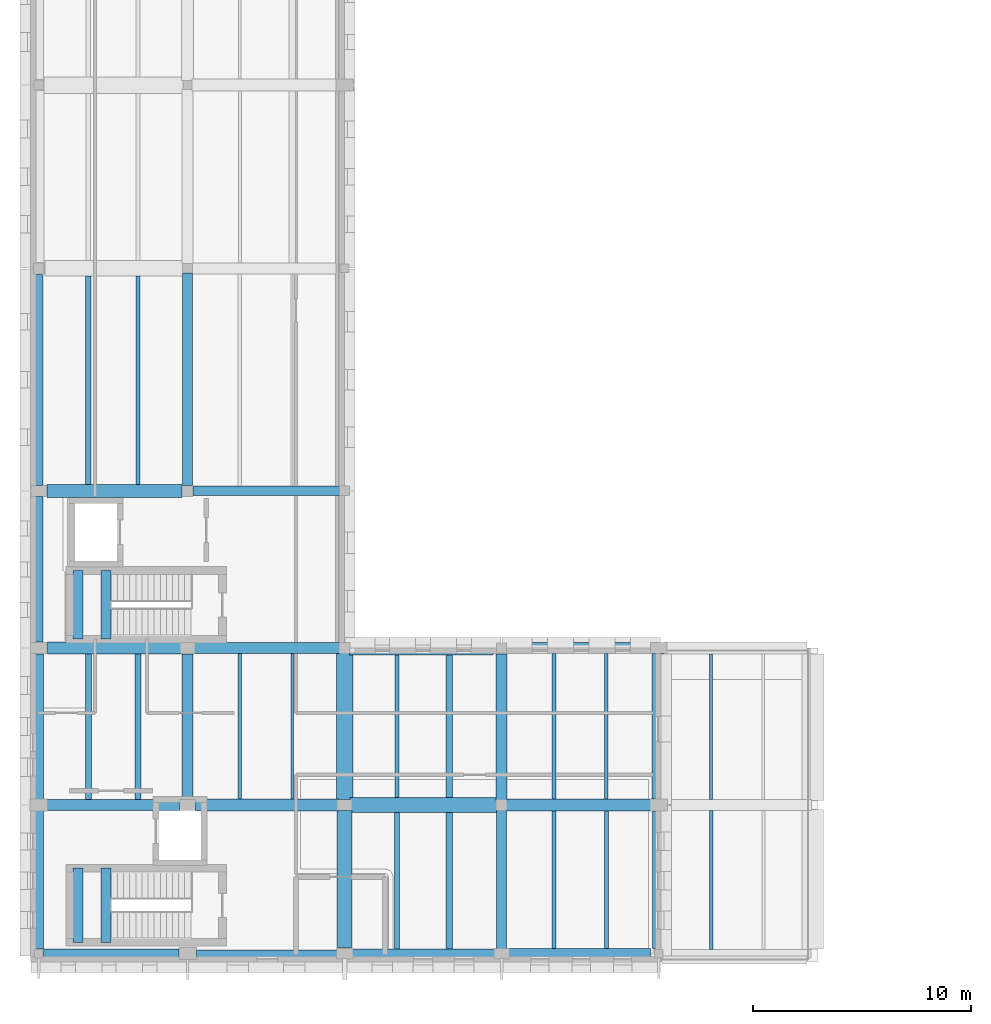
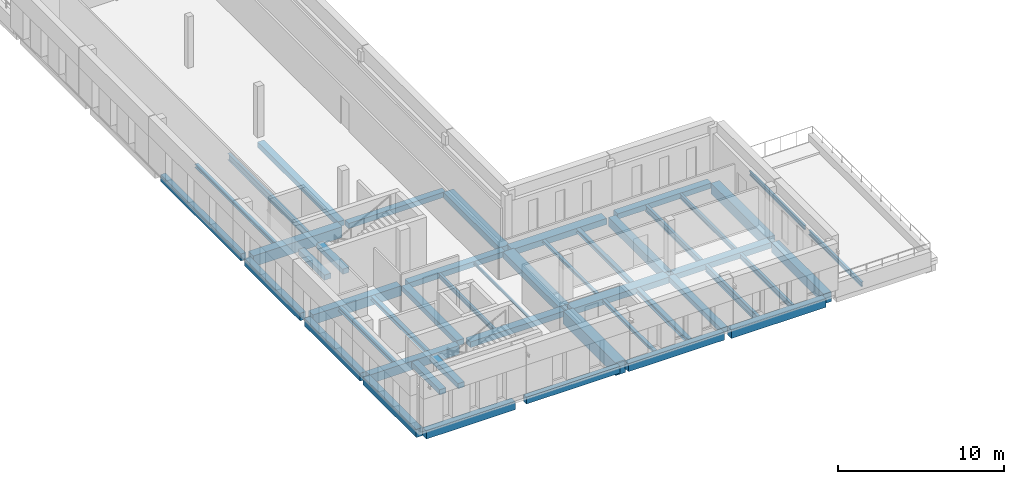
# One storey, part 4 of 15: 47 beams.
"""IFC4 building model written with IfcOpenShell, lengths in metres."""

from ifc_helpers import new_model, si_unit, direction, frame, origin, origin_2d, place, context, subcontext, project, spatial, rectangle, i_section, extrude, material, material_profile, profile_set, type_object, element, save


model = new_model("IFC4")

# Units and contexts
model_context = context("Model", 3, precision=1e-05, world=origin(), true_north=direction((0.0, 1.0)))
body_context = subcontext(model_context, "Body", "Model", "MODEL_VIEW")
ifc_project = project(units=[si_unit("LENGTHUNIT", "METRE"), si_unit("AREAUNIT", "SQUARE_METRE"), si_unit("VOLUMEUNIT", "CUBIC_METRE"), si_unit("PLANEANGLEUNIT", "RADIAN"), si_unit("MASSUNIT", "GRAM", prefix="KILO")], contexts=[model_context])

# Site, building, storey
site_placement = place(None, origin())
site = spatial("IfcSite", under=ifc_project, at=site_placement, CompositionType="ELEMENT")
building_placement = place(site_placement, origin())
building = spatial("IfcBuilding", under=site, at=building_placement, Name="Vardoun Plaza Health Centre", CompositionType="ELEMENT")
storey_placement = place(building_placement, frame((0.0, 0.0, 17.10009765625)))
storey = spatial("IfcBuildingStorey", under=building, at=storey_placement, Name="L04", CompositionType="ELEMENT", Elevation=17.10009765625)

# Beams
ifc_material_1 = material(Name="Concrete C35/45", Category="concrete")
ifc_material_profile_1 = material_profile(ifc_material_1, rectangle(XDim=0.35009765625, YDim=0.5, at=origin_2d()), Name="RC-BM 350x500")
ifc_profile_set_1 = profile_set([ifc_material_profile_1], Name="Concrete C35/45")
beam_type_1 = type_object("IfcBeamType", Name="B-08", PredefinedType="SPANDREL", material=ifc_profile_set_1)
beam_1_placement = place(storey_placement, frame((12.10009765625, 4.8798828125, -0.530029296875), z_axis=(1.0, 0.0, 0.0), x_axis=(0.0, 1.0, 0.0)))
element("IfcBeam", 1, at=beam_1_placement, inside=storey, type_object=beam_type_1, Name="V2 L04 Beam B-V2-L04-X09", PredefinedType="SPANDREL", context=body_context, shape_type="SweptSolid", body=[
    extrude(rectangle(XDim=0.35009765625, YDim=0.5, at=origin_2d()), origin(), (0.0, 0.0, 1.0), 6.52490234375),
])
beam_2_placement = place(storey_placement, frame((4.8798828125, 26.35009765625, -0.530029296875), z_axis=(0.0, 1.0, 0.0), x_axis=(-1.0, 0.0, 0.0)))
element("IfcBeam", 2, at=beam_2_placement, inside=storey, type_object=beam_type_1, Name="V2 L04 Beam B-V2-L04-Y29", PredefinedType="SPANDREL", context=body_context, shape_type="SweptSolid", body=[
    extrude(rectangle(XDim=0.35009765625, YDim=0.5, at=origin_2d()), origin(), (0.0, 0.0, 1.0), 9.675048828125),
])
ifc_material_2 = material(Name="Concrete C35/45", Category="concrete")
ifc_material_profile_2 = material_profile(ifc_material_2, rectangle(XDim=0.39990234375, YDim=0.550048828125, at=origin_2d()), Name="RC-BM 400x550")
ifc_profile_set_2 = profile_set([ifc_material_profile_2], Name="Concrete C35/45")
beam_type_2 = type_object("IfcBeamType", Name="B-09", PredefinedType="SPANDREL", material=ifc_profile_set_2)
beam_3_placement = place(storey_placement, frame((4.8798828125, 19.175048828125, -0.55517578125), z_axis=(0.0, 1.0, 0.0), x_axis=(-1.0, 0.0, 0.0)))
element("IfcBeam", 3, at=beam_3_placement, inside=storey, type_object=beam_type_2, Name="V2 L04 Beam B-V2-L04-Y28", PredefinedType="SPANDREL", context=body_context, shape_type="SweptSolid", body=[
    extrude(rectangle(XDim=0.39990234375, YDim=0.550048828125, at=origin_2d()), origin(), (0.0, 0.0, 1.0), 6.675048828125),
])
ifc_material_3 = material(Name="Concrete C35/45", Category="concrete")
ifc_material_profile_3 = material_profile(ifc_material_3, rectangle(XDim=0.419921875, YDim=0.580078125, at=origin_2d()), Name="RC-BM 420x580")
ifc_profile_set_3 = profile_set([ifc_material_profile_3], Name="Concrete C35/45")
beam_type_3 = type_object("IfcBeamType", Name="B-10", PredefinedType="SPANDREL", material=ifc_profile_set_3)
beam_4_placement = place(storey_placement, frame((19.175048828125, 4.8798828125, -0.570068359375), z_axis=(1.0, 0.0, 0.0), x_axis=(0.0, 1.0, 0.0)))
element("IfcBeam", 4, at=beam_4_placement, inside=storey, type_object=beam_type_3, Name="V2 L04 Beam B-V2-L04-X17", PredefinedType="SPANDREL", context=body_context, shape_type="SweptSolid", body=[
    extrude(rectangle(XDim=0.419921875, YDim=0.580078125, at=origin_2d()), origin(), (0.0, 0.0, 1.0), 6.699951171875),
])
beam_5_placement = place(storey_placement, frame((4.8798828125, 11.89990234375, -0.570068359375), z_axis=(0.0, 1.0, 0.0), x_axis=(-1.0, 0.0, 0.0)))
element("IfcBeam", 5, at=beam_5_placement, inside=storey, type_object=beam_type_3, Name="V2 L04 Beam B-V2-L04-Y27", PredefinedType="SPANDREL", context=body_context, shape_type="SweptSolid", body=[
    extrude(rectangle(XDim=0.419921875, YDim=0.580078125, at=origin_2d()), origin(), (0.0, 0.0, 1.0), 6.72509765625),
])
ifc_material_4 = material(Name="Concrete C35/45", Category="concrete")
ifc_material_profile_4 = material_profile(ifc_material_4, rectangle(XDim=0.449951171875, YDim=0.3798828125, at=origin_2d()), Name="RC-BM 450x380")
ifc_profile_set_4 = profile_set([ifc_material_profile_4], Name="Concrete C35/45")
beam_type_4 = type_object("IfcBeamType", Name="B-01", PredefinedType="BEAM", material=ifc_profile_set_4)
beam_6_placement = place(storey_placement, frame((11.949951171875, 26.10009765625, -0.47021484375), z_axis=(1.0, 0.0, 0.0), x_axis=(0.0, 1.0, 0.0)))
element("IfcBeam", 6, at=beam_6_placement, inside=storey, type_object=beam_type_4, Name="V2 L04 Beam B-V2-L04-X12", PredefinedType="BEAM", context=body_context, shape_type="SweptSolid", body=[
    extrude(rectangle(XDim=0.449951171875, YDim=0.3798828125, at=origin_2d()), origin(), (0.0, 0.0, 1.0), 6.75),
])
beam_7_placement = place(storey_placement, frame((11.699951171875, 26.35009765625, -0.47021484375), z_axis=(0.0, 1.0, 0.0), x_axis=(-1.0, 0.0, 0.0)))
element("IfcBeam", 7, at=beam_7_placement, inside=storey, type_object=beam_type_4, Name="V2 L04 Beam B-V2-L04-Y34", PredefinedType="BEAM", context=body_context, shape_type="SweptSolid", body=[
    extrude(rectangle(XDim=0.449951171875, YDim=0.3798828125, at=origin_2d()), origin(), (0.0, 0.0, 1.0), 9.724853515625),
])
beam_8_placement = place(storey_placement, frame((26.10009765625, 5.10498046875, -0.47021484375), z_axis=(0.0, 1.0, 0.0), x_axis=(-1.0, 0.0, 0.0)))
element("IfcBeam", 8, at=beam_8_placement, inside=storey, type_object=beam_type_4, Name="V2 L04 Beam B-V2-L04-Y45", PredefinedType="BEAM", context=body_context, shape_type="SweptSolid", body=[
    extrude(rectangle(XDim=0.449951171875, YDim=0.3798828125, at=origin_2d()), origin(), (0.0, 0.0, 1.0), 6.39501953125),
])
for number, where, z_axis, x_axis, name in (
    (9, (6.679931640625, 5.39990234375, 1.635009765625), (0.0, 1.0, 0.0), (-1.0, 0.0, 0.0), "Stair ST-C1-L04 Landing Beam 1"),
    (10, (7.9599609375, 5.39990234375, 1.635009765625), (0.0, 1.0, 0.0), (-1.0, 0.0, 0.0), "Stair ST-C1-L04 Landing Beam 2"),
):
    element("IfcBeam", number, at=place(storey_placement, frame(where, z_axis=z_axis, x_axis=x_axis)), inside=storey, type_object=beam_type_4, Name=name, PredefinedType="BEAM", context=body_context, shape_type="SweptSolid", body=[
        extrude(rectangle(XDim=0.449951171875, YDim=0.3798828125, at=origin_2d()), origin(), (0.0, 0.0, 1.0), 3.400146484375),
    ])
for number, where, z_axis, x_axis, name in (
    (11, (6.679931640625, 19.300048828125, 1.635009765625), (0.0, 1.0, 0.0), (-1.0, 0.0, 0.0), "Stair ST-C2-L04 Landing Beam 1"),
    (12, (7.9599609375, 19.300048828125, 1.635009765625), (0.0, 1.0, 0.0), (-1.0, 0.0, 0.0), "Stair ST-C2-L04 Landing Beam 2"),
):
    element("IfcBeam", number, at=place(storey_placement, frame(where, z_axis=z_axis, x_axis=x_axis)), inside=storey, type_object=beam_type_4, Name=name, PredefinedType="BEAM", context=body_context, shape_type="SweptSolid", body=[
        extrude(rectangle(XDim=0.449951171875, YDim=0.3798828125, at=origin_2d()), origin(), (0.0, 0.0, 1.0), 3.14990234375),
    ])
ifc_material_5 = material(Name="Concrete C35/45", Category="concrete")
ifc_material_profile_5 = material_profile(ifc_material_5, rectangle(XDim=0.449951171875, YDim=0.60009765625, at=origin_2d()), Name="RC-BM 450x600")
ifc_profile_set_5 = profile_set([ifc_material_profile_5], Name="Concrete C35/45")
beam_type_5 = type_object("IfcBeamType", Name="B-11", PredefinedType="SPANDREL", material=ifc_profile_set_5)
beam_9_placement = place(storey_placement, frame((5.10498046875, 4.8798828125, -0.580078125), z_axis=(1.0, 0.0, 0.0), x_axis=(0.0, 1.0, 0.0)))
element("IfcBeam", 13, at=beam_9_placement, inside=storey, type_object=beam_type_5, Name="V2 L04 Beam B-V2-L04-X01", PredefinedType="SPANDREL", context=body_context, shape_type="SweptSolid", body=[
    extrude(rectangle(XDim=0.449951171875, YDim=0.60009765625, at=origin_2d()), origin(), (0.0, 0.0, 1.0), 6.195068359375),
])
beam_10_placement = place(storey_placement, frame((4.8798828125, 5.10498046875, -0.580078125), z_axis=(0.0, 1.0, 0.0), x_axis=(-1.0, 0.0, 0.0)))
element("IfcBeam", 14, at=beam_10_placement, inside=storey, type_object=beam_type_5, Name="V2 L04 Beam B-V2-L04-Y26", PredefinedType="SPANDREL", context=body_context, shape_type="SweptSolid", body=[
    extrude(rectangle(XDim=0.449951171875, YDim=0.60009765625, at=origin_2d()), origin(), (0.0, 0.0, 1.0), 6.39501953125),
])
ifc_material_6 = material(Name="Concrete C35/45", Category="concrete")
ifc_material_profile_6 = material_profile(ifc_material_6, rectangle(XDim=0.47998046875, YDim=0.6201171875, at=origin_2d()), Name="RC-BM 480x620")
ifc_profile_set_6 = profile_set([ifc_material_profile_6], Name="Concrete C35/45")
beam_type_6 = type_object("IfcBeamType", Name="B-12", PredefinedType="SPANDREL", material=ifc_profile_set_6)
beam_11_placement = place(storey_placement, frame((26.324951171875, 4.8798828125, -0.590087890625), z_axis=(1.0, 0.0, 0.0), x_axis=(0.0, 1.0, 0.0)))
element("IfcBeam", 15, at=beam_11_placement, inside=storey, type_object=beam_type_6, Name="V2 L04 Beam B-V2-L04-X20", PredefinedType="SPANDREL", context=body_context, shape_type="SweptSolid", body=[
    extrude(rectangle(XDim=0.47998046875, YDim=0.6201171875, at=origin_2d()), origin(), (0.0, 0.0, 1.0), 6.60009765625),
])
ifc_material_7 = material(Name="Concrete C35/45", Category="concrete")
ifc_material_profile_7 = material_profile(ifc_material_7, rectangle(XDim=0.5, YDim=0.39990234375, at=origin_2d()), Name="RC-BM 500x400")
ifc_profile_set_7 = profile_set([ifc_material_profile_7], Name="Concrete C35/45")
beam_type_7 = type_object("IfcBeamType", Name="B-02", PredefinedType="BEAM", material=ifc_profile_set_7)
beam_12_placement = place(storey_placement, frame((11.97509765625, 18.89990234375, -0.47998046875), z_axis=(1.0, 0.0, 0.0), x_axis=(0.0, 1.0, 0.0)))
element("IfcBeam", 16, at=beam_12_placement, inside=storey, type_object=beam_type_7, Name="V2 L04 Beam B-V2-L04-X11", PredefinedType="BEAM", context=body_context, shape_type="SweptSolid", body=[
    extrude(rectangle(XDim=0.5, YDim=0.39990234375, at=origin_2d()), origin(), (0.0, 0.0, 1.0), 6.699951171875),
])
beam_13_placement = place(storey_placement, frame((26.5, 18.89990234375, -0.47998046875), z_axis=(1.0, 0.0, 0.0), x_axis=(0.0, 1.0, 0.0)))
element("IfcBeam", 17, at=beam_13_placement, inside=storey, type_object=beam_type_7, Name="V2 L04 Beam B-V2-L04-X22", PredefinedType="BEAM", context=body_context, shape_type="SweptSolid", body=[
    extrude(rectangle(XDim=0.5, YDim=0.39990234375, at=origin_2d()), origin(), (0.0, 0.0, 1.0), 6.550048828125),
])
beam_14_placement = place(storey_placement, frame((11.699951171875, 11.949951171875, -0.47998046875), z_axis=(0.0, 1.0, 0.0), x_axis=(-1.0, 0.0, 0.0)))
element("IfcBeam", 18, at=beam_14_placement, inside=storey, type_object=beam_type_7, Name="V2 L04 Beam B-V2-L04-Y33", PredefinedType="BEAM", context=body_context, shape_type="SweptSolid", body=[
    extrude(rectangle(XDim=0.5, YDim=0.39990234375, at=origin_2d()), origin(), (0.0, 0.0, 1.0), 6.675048828125),
])
ifc_material_8 = material(Name="Concrete C40/50", Category="concrete")
ifc_material_profile_8 = material_profile(ifc_material_8, rectangle(XDim=0.5, YDim=0.64990234375, at=origin_2d()), Name="RC-BM 500x650")
ifc_profile_set_8 = profile_set([ifc_material_profile_8], Name="Concrete C40/50")
beam_type_8 = type_object("IfcBeamType", Name="B-13", PredefinedType="BEAM", material=ifc_profile_set_8)
beam_15_placement = place(storey_placement, frame((5.080078125, 11.699951171875, -0.60498046875), z_axis=(1.0, 0.0, 0.0), x_axis=(0.0, 1.0, 0.0)))
element("IfcBeam", 19, at=beam_15_placement, inside=storey, type_object=beam_type_8, Name="V2 L04 Beam B-V2-L04-X02", PredefinedType="BEAM", context=body_context, shape_type="SweptSolid", body=[
    extrude(rectangle(XDim=0.5, YDim=0.64990234375, at=origin_2d()), origin(), (0.0, 0.0, 1.0), 6.244873046875),
])
beam_16_placement = place(storey_placement, frame((26.10009765625, 11.89990234375, -0.60498046875), z_axis=(0.0, 1.0, 0.0), x_axis=(-1.0, 0.0, 0.0)))
element("IfcBeam", 20, at=beam_16_placement, inside=storey, type_object=beam_type_8, Name="V2 L04 Beam B-V2-L04-Y46", PredefinedType="BEAM", context=body_context, shape_type="SweptSolid", body=[
    extrude(rectangle(XDim=0.5, YDim=0.64990234375, at=origin_2d()), origin(), (0.0, 0.0, 1.0), 6.72509765625),
])
ifc_material_9 = material(Name="Concrete C35/45", Category="concrete")
ifc_material_profile_9 = material_profile(ifc_material_9, rectangle(XDim=0.550048828125, YDim=0.419921875, at=origin_2d()), Name="RC-BM 550x420")
ifc_profile_set_9 = profile_set([ifc_material_profile_9], Name="Concrete C35/45")
beam_type_9 = type_object("IfcBeamType", Name="B-03", PredefinedType="BEAM", material=ifc_profile_set_9)
beam_17_placement = place(storey_placement, frame((12.074951171875, 11.699951171875, -0.489990234375), z_axis=(1.0, 0.0, 0.0), x_axis=(0.0, 1.0, 0.0)))
element("IfcBeam", 21, at=beam_17_placement, inside=storey, type_object=beam_type_9, Name="V2 L04 Beam B-V2-L04-X10", PredefinedType="BEAM", context=body_context, shape_type="SweptSolid", body=[
    extrude(rectangle(XDim=0.550048828125, YDim=0.419921875, at=origin_2d()), origin(), (0.0, 0.0, 1.0), 6.574951171875),
])
beam_18_placement = place(storey_placement, frame((26.300048828125, 11.699951171875, -0.489990234375), z_axis=(1.0, 0.0, 0.0), x_axis=(0.0, 1.0, 0.0)))
element("IfcBeam", 22, at=beam_18_placement, inside=storey, type_object=beam_type_9, Name="V2 L04 Beam B-V2-L04-X21", PredefinedType="BEAM", context=body_context, shape_type="SweptSolid", body=[
    extrude(rectangle(XDim=0.550048828125, YDim=0.419921875, at=origin_2d()), origin(), (0.0, 0.0, 1.0), 6.72509765625),
])
ifc_material_10 = material(Name="Concrete C40/50", Category="concrete")
ifc_material_profile_10 = material_profile(ifc_material_10, rectangle(XDim=0.550048828125, YDim=0.719970703125, at=origin_2d()), Name="RC-BM 550x720")
ifc_profile_set_10 = profile_set([ifc_material_profile_10], Name="Concrete C40/50")
beam_type_10 = type_object("IfcBeamType", Name="B-14", PredefinedType="BEAM", material=ifc_profile_set_10)
beam_19_placement = place(storey_placement, frame((5.280029296875, 18.89990234375, -0.64013671875), z_axis=(1.0, 0.0, 0.0), x_axis=(0.0, 1.0, 0.0)))
element("IfcBeam", 23, at=beam_19_placement, inside=storey, type_object=beam_type_10, Name="V2 L04 Beam B-V2-L04-X03", PredefinedType="BEAM", context=body_context, shape_type="SweptSolid", body=[
    extrude(rectangle(XDim=0.550048828125, YDim=0.719970703125, at=origin_2d()), origin(), (0.0, 0.0, 1.0), 6.14501953125),
])
beam_20_placement = place(storey_placement, frame((33.300048828125, 5.1298828125, -0.64013671875), z_axis=(0.0, 1.0, 0.0), x_axis=(-1.0, 0.0, 0.0)))
element("IfcBeam", 24, at=beam_20_placement, inside=storey, type_object=beam_type_10, Name="V2 L04 Beam B-V2-L04-Y47", PredefinedType="BEAM", context=body_context, shape_type="SweptSolid", body=[
    extrude(rectangle(XDim=0.550048828125, YDim=0.719970703125, at=origin_2d()), origin(), (0.0, 0.0, 1.0), 6.295166015625),
])
ifc_material_11 = material(Name="Concrete C40/50", Category="concrete")
ifc_material_profile_11 = material_profile(ifc_material_11, rectangle(XDim=0.60009765625, YDim=0.800048828125, at=origin_2d()), Name="RC-BM 600x800")
ifc_profile_set_11 = profile_set([ifc_material_profile_11], Name="Concrete C40/50")
beam_type_11 = type_object("IfcBeamType", Name="B-15", PredefinedType="JOIST", material=ifc_profile_set_11)
beam_21_placement = place(storey_placement, frame((5.2548828125, 26.10009765625, -0.68017578125), z_axis=(1.0, 0.0, 0.0), x_axis=(0.0, 1.0, 0.0)))
element("IfcBeam", 25, at=beam_21_placement, inside=storey, type_object=beam_type_11, Name="V2 L04 Beam B-V2-L04-X04", PredefinedType="JOIST", context=body_context, shape_type="SweptSolid", body=[
    extrude(rectangle(XDim=0.60009765625, YDim=0.800048828125, at=origin_2d()), origin(), (0.0, 0.0, 1.0), 6.195068359375),
])
beam_22_placement = place(storey_placement, frame((33.300048828125, 11.97509765625, -0.68017578125), z_axis=(0.0, 1.0, 0.0), x_axis=(-1.0, 0.0, 0.0)))
element("IfcBeam", 26, at=beam_22_placement, inside=storey, type_object=beam_type_11, Name="V2 L04 Beam B-V2-L04-Y48", PredefinedType="JOIST", context=body_context, shape_type="SweptSolid", body=[
    extrude(rectangle(XDim=0.60009765625, YDim=0.800048828125, at=origin_2d()), origin(), (0.0, 0.0, 1.0), 6.6748046875),
])
ifc_material_12 = material(Name="Concrete C35/45", Category="concrete")
ifc_material_profile_12 = material_profile(ifc_material_12, rectangle(XDim=0.64990234375, YDim=0.449951171875, at=origin_2d()), Name="RC-BM 650x450")
ifc_profile_set_12 = profile_set([ifc_material_profile_12], Name="Concrete C35/45")
beam_type_12 = type_object("IfcBeamType", Name="B-05", PredefinedType="BEAM", material=ifc_profile_set_12)
beam_23_placement = place(storey_placement, frame((19.125, 18.89990234375, -0.505126953125), z_axis=(1.0, 0.0, 0.0), x_axis=(0.0, 1.0, 0.0)))
element("IfcBeam", 27, at=beam_23_placement, inside=storey, type_object=beam_type_12, Name="V2 L04 Beam B-V2-L04-X19", PredefinedType="BEAM", context=body_context, shape_type="SweptSolid", body=[
    extrude(rectangle(XDim=0.64990234375, YDim=0.449951171875, at=origin_2d()), origin(), (0.0, 0.0, 1.0), 6.574951171875),
])
ifc_material_13 = material(Name="Concrete C35/45", Category="concrete")
ifc_material_profile_13 = material_profile(ifc_material_13, rectangle(XDim=0.699951171875, YDim=0.449951171875, at=origin_2d()), Name="RC-BM 700x450")
ifc_profile_set_13 = profile_set([ifc_material_profile_13], Name="Concrete C35/45")
beam_type_13 = type_object("IfcBeamType", Name="B-06", PredefinedType="BEAM", material=ifc_profile_set_13)
beam_24_placement = place(storey_placement, frame((19.14990234375, 11.699951171875, -0.505126953125), z_axis=(1.0, 0.0, 0.0), x_axis=(0.0, 1.0, 0.0)))
element("IfcBeam", 28, at=beam_24_placement, inside=storey, type_object=beam_type_13, Name="V2 L04 Beam B-V2-L04-X18", PredefinedType="BEAM", context=body_context, shape_type="SweptSolid", body=[
    extrude(rectangle(XDim=0.699951171875, YDim=0.449951171875, at=origin_2d()), origin(), (0.0, 0.0, 1.0), 6.75),
])
beam_25_placement = place(storey_placement, frame((18.89990234375, 19.125, -0.505126953125), z_axis=(0.0, 1.0, 0.0), x_axis=(-1.0, 0.0, 0.0)))
element("IfcBeam", 29, at=beam_25_placement, inside=storey, type_object=beam_type_13, Name="V2 L04 Beam B-V2-L04-Y40", PredefinedType="BEAM", context=body_context, shape_type="SweptSolid", body=[
    extrude(rectangle(XDim=0.699951171875, YDim=0.449951171875, at=origin_2d()), origin(), (0.0, 0.0, 1.0), 6.77490234375),
])
ifc_material_14 = material(Name="Concrete C40/50", Category="concrete")
ifc_material_profile_14 = material_profile(ifc_material_14, rectangle(XDim=0.699951171875, YDim=0.949951171875, at=origin_2d()), Name="RC-BM 700x950")
ifc_profile_set_14 = profile_set([ifc_material_profile_14], Name="Concrete C40/50")
beam_type_14 = type_object("IfcBeamType", Name="B-16", PredefinedType="LINTEL", material=ifc_profile_set_14)
beam_26_placement = place(storey_placement, frame((18.89990234375, 5.155029296875, -0.755126953125), z_axis=(0.0, 1.0, 0.0), x_axis=(-1.0, 0.0, 0.0)))
element("IfcBeam", 30, at=beam_26_placement, inside=storey, type_object=beam_type_14, Name="V2 L04 Beam B-V2-L04-Y38", PredefinedType="LINTEL", context=body_context, shape_type="SweptSolid", body=[
    extrude(rectangle(XDim=0.699951171875, YDim=0.949951171875, at=origin_2d()), origin(), (0.0, 0.0, 1.0), 6.294921875),
])
ifc_material_15 = material(Name="Concrete C35/45", Category="concrete")
ifc_material_profile_15 = material_profile(ifc_material_15, rectangle(XDim=0.75, YDim=0.47998046875, at=origin_2d()), Name="RC-BM 750x480")
ifc_profile_set_15 = profile_set([ifc_material_profile_15], Name="Concrete C35/45")
beam_type_15 = type_object("IfcBeamType", Name="B-07", PredefinedType="BEAM", material=ifc_profile_set_15)
beam_27_placement = place(storey_placement, frame((18.89990234375, 11.949951171875, -0.52001953125), z_axis=(0.0, 1.0, 0.0), x_axis=(-1.0, 0.0, 0.0)))
element("IfcBeam", 31, at=beam_27_placement, inside=storey, type_object=beam_type_15, Name="V2 L04 Beam B-V2-L04-Y39", PredefinedType="BEAM", context=body_context, shape_type="SweptSolid", body=[
    extrude(rectangle(XDim=0.75, YDim=0.47998046875, at=origin_2d()), origin(), (0.0, 0.0, 1.0), 6.72509765625),
])
ifc_material_16 = material(Name="Steel S355J2", Category="steel")
ifc_material_profile_16 = material_profile(ifc_material_16, i_section(OverallWidth=0.199951171875, OverallDepth=0.18994140625, WebThickness=0.006591796875, FlangeThickness=0.010009765625, FilletRadius=0.01806640625, at=origin_2d()), Name="HEA 200")
ifc_profile_set_16 = profile_set([ifc_material_profile_16], Name="Steel S355J2")
beam_type_16 = type_object("IfcBeamType", Name="SB-09", PredefinedType="BEAM", material=ifc_profile_set_16)
beam_28_placement = place(storey_placement, frame((21.2998046875, 12.050048828125, -0.375), z_axis=(0.0, 1.0, 0.0), x_axis=(-1.0, 0.0, 0.0)))
element("IfcBeam", 32, at=beam_28_placement, inside=storey, type_object=beam_type_16, Name="V2 L04 Secondary Floor Beam SJ-V2-L04-22", PredefinedType="BEAM", context=body_context, shape_type="SweptSolid", body=[
    extrude(i_section(OverallWidth=0.199951171875, OverallDepth=0.18994140625, WebThickness=0.006591796875, FlangeThickness=0.010009765625, FilletRadius=0.01806640625, at=origin_2d()), origin(), (0.0, 0.0, 1.0), 6.52490234375),
])
ifc_material_17 = material(Name="Steel S355J2", Category="steel")
ifc_material_profile_17 = material_profile(ifc_material_17, i_section(OverallWidth=0.219970703125, OverallDepth=0.2099609375, WebThickness=0.007080078125, FlangeThickness=0.010986328125, FilletRadius=0.01806640625, at=origin_2d()), Name="HEA 220")
ifc_profile_set_17 = profile_set([ifc_material_profile_17], Name="Steel S355J2")
beam_type_17 = type_object("IfcBeamType", Name="SB-08", PredefinedType="BEAM", material=ifc_profile_set_17)
beam_29_placement = place(storey_placement, frame((21.2998046875, 5.090087890625, -0.385009765625), z_axis=(0.0, 1.0, 0.0), x_axis=(-1.0, 0.0, 0.0)))
element("IfcBeam", 33, at=beam_29_placement, inside=storey, type_object=beam_type_17, Name="V2 L04 Secondary Floor Beam SJ-V2-L04-21", PredefinedType="BEAM", context=body_context, shape_type="SweptSolid", body=[
    extrude(i_section(OverallWidth=0.219970703125, OverallDepth=0.2099609375, WebThickness=0.007080078125, FlangeThickness=0.010986328125, FilletRadius=0.01806640625, at=origin_2d()), origin(), (0.0, 0.0, 1.0), 6.260009765625),
])
ifc_material_18 = material(Name="Steel S355J2", Category="steel")
ifc_material_profile_18 = material_profile(ifc_material_18, i_section(OverallWidth=0.239990234375, OverallDepth=0.22998046875, WebThickness=0.007568359375, FlangeThickness=0.011962890625, FilletRadius=0.02099609375, at=origin_2d()), Name="HEA 240")
ifc_profile_set_18 = profile_set([ifc_material_profile_18], Name="Steel S355J2")
beam_type_18 = type_object("IfcBeamType", Name="SB-07", PredefinedType="BEAM", material=ifc_profile_set_18)
beam_30_placement = place(storey_placement, frame((7.153076171875, 26.39990234375, -0.39501953125), z_axis=(0.0, 1.0, 0.0), x_axis=(-1.0, 0.0, 0.0)))
element("IfcBeam", 34, at=beam_30_placement, inside=storey, type_object=beam_type_18, Name="V2 L04 Secondary Floor Beam SJ-V2-L04-02", PredefinedType="BEAM", context=body_context, shape_type="SweptSolid", body=[
    extrude(i_section(OverallWidth=0.239990234375, OverallDepth=0.22998046875, WebThickness=0.007568359375, FlangeThickness=0.011962890625, FilletRadius=0.02099609375, at=origin_2d()), origin(), (0.0, 0.0, 1.0), 9.550048828125),
])
ifc_material_19 = material(Name="Steel S355J2", Category="steel")
ifc_material_profile_19 = material_profile(ifc_material_19, i_section(OverallWidth=0.280029296875, OverallDepth=0.27001953125, WebThickness=0.008056640625, FlangeThickness=0.012939453125, FilletRadius=0.02392578125, at=origin_2d()), Name="HEA 280")
ifc_profile_set_19 = profile_set([ifc_material_profile_19], Name="Steel S355J2")
beam_type_19 = type_object("IfcBeamType", Name="SB-06", PredefinedType="BEAM", material=ifc_profile_set_19)
beam_31_placement = place(storey_placement, frame((7.153076171875, 11.949951171875, -0.4150390625), z_axis=(0.0, 1.0, 0.0), x_axis=(-1.0, 0.0, 0.0)))
element("IfcBeam", 35, at=beam_31_placement, inside=storey, type_object=beam_type_19, Name="V2 L04 Secondary Floor Beam SJ-V2-L04-01", PredefinedType="BEAM", context=body_context, shape_type="SweptSolid", body=[
    extrude(i_section(OverallWidth=0.280029296875, OverallDepth=0.27001953125, WebThickness=0.008056640625, FlangeThickness=0.012939453125, FilletRadius=0.02392578125, at=origin_2d()), origin(), (0.0, 0.0, 1.0), 6.675048828125),
])
ifc_material_20 = material(Name="Steel S355J2", Category="steel")
ifc_material_profile_20 = material_profile(ifc_material_20, i_section(OverallWidth=0.280029296875, OverallDepth=0.280029296875, WebThickness=0.010498046875, FlangeThickness=0.01806640625, FilletRadius=0.02392578125, at=origin_2d()), Name="HEB 280")
ifc_profile_set_20 = profile_set([ifc_material_profile_20], Name="Steel S355J2")
beam_type_20 = type_object("IfcBeamType", Name="SB-02", PredefinedType="BEAM", material=ifc_profile_set_20)
beam_32_placement = place(storey_placement, frame((9.427001953125, 11.949951171875, -0.420166015625), z_axis=(0.0, 1.0, 0.0), x_axis=(-1.0, 0.0, 0.0)))
element("IfcBeam", 36, at=beam_32_placement, inside=storey, type_object=beam_type_20, Name="V2 L04 Secondary Floor Beam SJ-V2-L04-06", PredefinedType="BEAM", context=body_context, shape_type="SweptSolid", body=[
    extrude(i_section(OverallWidth=0.280029296875, OverallDepth=0.280029296875, WebThickness=0.010498046875, FlangeThickness=0.01806640625, FilletRadius=0.02392578125, at=origin_2d()), origin(), (0.0, 0.0, 1.0), 6.675048828125),
])
beam_33_placement = place(storey_placement, frame((23.7001953125, 12.050048828125, -0.420166015625), z_axis=(0.0, 1.0, 0.0), x_axis=(-1.0, 0.0, 0.0)))
element("IfcBeam", 37, at=beam_33_placement, inside=storey, type_object=beam_type_20, Name="V2 L04 Secondary Floor Beam SJ-V2-L04-24", PredefinedType="BEAM", context=body_context, shape_type="SweptSolid", body=[
    extrude(i_section(OverallWidth=0.280029296875, OverallDepth=0.280029296875, WebThickness=0.010498046875, FlangeThickness=0.01806640625, FilletRadius=0.02392578125, at=origin_2d()), origin(), (0.0, 0.0, 1.0), 6.52490234375),
])
ifc_material_21 = material(Name="Steel S355J2", Category="steel")
ifc_material_profile_21 = material_profile(ifc_material_21, i_section(OverallWidth=0.300048828125, OverallDepth=0.360107421875, WebThickness=0.012451171875, FlangeThickness=0.0224609375, FilletRadius=0.027099609375, at=origin_2d()), Name="HEB 360")
ifc_profile_set_21 = profile_set([ifc_material_profile_21], Name="Steel S355J2")
beam_type_21 = type_object("IfcBeamType", Name="RB-04", PredefinedType="BEAM", material=ifc_profile_set_21)
beam_34_placement = place(storey_placement, frame((23.7001953125, 5.090087890625, -0.460205078125), z_axis=(0.0, 1.0, 0.0), x_axis=(-1.0, 0.0, 0.0)))
element("IfcBeam", 38, at=beam_34_placement, inside=storey, type_object=beam_type_21, Name="V2 L04 Secondary Floor Beam SJ-V2-L04-23", PredefinedType="BEAM", context=body_context, shape_type="SweptSolid", body=[
    extrude(i_section(OverallWidth=0.300048828125, OverallDepth=0.360107421875, WebThickness=0.012451171875, FlangeThickness=0.0224609375, FilletRadius=0.027099609375, at=origin_2d()), origin(), (0.0, 0.0, 1.0), 6.260009765625),
])
ifc_material_22 = material(Name="Steel S355J2", Category="steel")
ifc_material_profile_22 = material_profile(ifc_material_22, i_section(OverallWidth=0.10009765625, OverallDepth=0.199951171875, WebThickness=0.005615234375, FlangeThickness=0.008544921875, FilletRadius=0.011962890625, at=origin_2d()), Name="IPE 200")
ifc_profile_set_22 = profile_set([ifc_material_profile_22], Name="Steel S355J2")
beam_type_22 = type_object("IfcBeamType", Name="SB-19", PredefinedType="SPANDREL", material=ifc_profile_set_22)
beam_35_placement = place(storey_placement, frame((16.500244140625, 11.97509765625, -0.380126953125), z_axis=(0.0, 1.0, 0.0), x_axis=(-1.0, 0.0, 0.0)))
element("IfcBeam", 39, at=beam_35_placement, inside=storey, type_object=beam_type_22, Name="V2 L04 Secondary Floor Beam SJ-V2-L04-16", PredefinedType="SPANDREL", context=body_context, shape_type="SweptSolid", body=[
    extrude(i_section(OverallWidth=0.10009765625, OverallDepth=0.199951171875, WebThickness=0.005615234375, FlangeThickness=0.008544921875, FilletRadius=0.011962890625, at=origin_2d()), origin(), (0.0, 0.0, 1.0), 6.6748046875),
])
ifc_material_23 = material(Name="Steel S355J2", Category="steel")
ifc_material_profile_23 = material_profile(ifc_material_23, i_section(OverallWidth=0.14990234375, OverallDepth=0.300048828125, WebThickness=0.007080078125, FlangeThickness=0.0107421875, FilletRadius=0.014892578125, at=origin_2d()), Name="IPE 300")
ifc_profile_set_23 = profile_set([ifc_material_profile_23], Name="Steel S355J2")
beam_type_23 = type_object("IfcBeamType", Name="SB-15", PredefinedType="JOIST", material=ifc_profile_set_23)
beam_36_placement = place(storey_placement, frame((35.69970703125, 11.949951171875, -0.43017578125), z_axis=(0.0, 1.0, 0.0), x_axis=(-1.0, 0.0, 0.0)))
element("IfcBeam", 40, at=beam_36_placement, inside=storey, type_object=beam_type_23, Name="V2 L04 Secondary Floor Beam SJ-V2-L04-30", PredefinedType="JOIST", context=body_context, shape_type="SweptSolid", body=[
    extrude(i_section(OverallWidth=0.14990234375, OverallDepth=0.300048828125, WebThickness=0.007080078125, FlangeThickness=0.0107421875, FilletRadius=0.014892578125, at=origin_2d()), origin(), (0.0, 0.0, 1.0), 6.675048828125),
])
ifc_material_24 = material(Name="Steel S355J2", Category="steel")
ifc_material_profile_24 = material_profile(ifc_material_24, i_section(OverallWidth=0.159912109375, OverallDepth=0.330078125, WebThickness=0.007568359375, FlangeThickness=0.011474609375, FilletRadius=0.01806640625, at=origin_2d()), Name="IPE 330")
ifc_profile_set_24 = profile_set([ifc_material_profile_24], Name="Steel S355J2")
beam_type_24 = type_object("IfcBeamType", Name="SB-14", PredefinedType="JOIST", material=ifc_profile_set_24)
beam_37_placement = place(storey_placement, frame((14.099853515625, 11.97509765625, -0.445068359375), z_axis=(0.0, 1.0, 0.0), x_axis=(-1.0, 0.0, 0.0)))
element("IfcBeam", 41, at=beam_37_placement, inside=storey, type_object=beam_type_24, Name="V2 L04 Secondary Floor Beam SJ-V2-L04-11", PredefinedType="JOIST", context=body_context, shape_type="SweptSolid", body=[
    extrude(i_section(OverallWidth=0.159912109375, OverallDepth=0.330078125, WebThickness=0.007568359375, FlangeThickness=0.011474609375, FilletRadius=0.01806640625, at=origin_2d()), origin(), (0.0, 0.0, 1.0), 6.6748046875),
])
beam_38_placement = place(storey_placement, frame((35.69970703125, 5.080078125, -0.445068359375), z_axis=(0.0, 1.0, 0.0), x_axis=(-1.0, 0.0, 0.0)))
element("IfcBeam", 42, at=beam_38_placement, inside=storey, type_object=beam_type_24, Name="V2 L04 Secondary Floor Beam SJ-V2-L04-29", PredefinedType="JOIST", context=body_context, shape_type="SweptSolid", body=[
    extrude(i_section(OverallWidth=0.159912109375, OverallDepth=0.330078125, WebThickness=0.007568359375, FlangeThickness=0.011474609375, FilletRadius=0.01806640625, at=origin_2d()), origin(), (0.0, 0.0, 1.0), 6.369873046875),
])
ifc_material_25 = material(Name="Steel S355J2", Category="steel")
ifc_material_profile_25 = material_profile(ifc_material_25, i_section(OverallWidth=0.169921875, OverallDepth=0.360107421875, WebThickness=0.008056640625, FlangeThickness=0.0126953125, FilletRadius=0.01806640625, at=origin_2d()), Name="IPE 360")
ifc_profile_set_25 = profile_set([ifc_material_profile_25], Name="Steel S355J2")
beam_type_25 = type_object("IfcBeamType", Name="SB-13", PredefinedType="JOIST", material=ifc_profile_set_25)
beam_39_placement = place(storey_placement, frame((30.900146484375, 11.97509765625, -0.460205078125), z_axis=(0.0, 1.0, 0.0), x_axis=(-1.0, 0.0, 0.0)))
element("IfcBeam", 43, at=beam_39_placement, inside=storey, type_object=beam_type_25, Name="V2 L04 Secondary Floor Beam SJ-V2-L04-28", PredefinedType="JOIST", context=body_context, shape_type="SweptSolid", body=[
    extrude(i_section(OverallWidth=0.169921875, OverallDepth=0.360107421875, WebThickness=0.008056640625, FlangeThickness=0.0126953125, FilletRadius=0.01806640625, at=origin_2d()), origin(), (0.0, 0.0, 1.0), 6.6748046875),
])
ifc_material_26 = material(Name="Steel S355J2", Category="steel")
ifc_material_profile_26 = material_profile(ifc_material_26, i_section(OverallWidth=0.179931640625, OverallDepth=0.39990234375, WebThickness=0.008544921875, FlangeThickness=0.013427734375, FilletRadius=0.02099609375, at=origin_2d()), Name="IPE 400")
ifc_profile_set_26 = profile_set([ifc_material_profile_26], Name="Steel S355J2")
beam_type_26 = type_object("IfcBeamType", Name="SB-12", PredefinedType="BEAM", material=ifc_profile_set_26)
beam_40_placement = place(storey_placement, frame((30.900146484375, 5.1201171875, -0.47998046875), z_axis=(0.0, 1.0, 0.0), x_axis=(-1.0, 0.0, 0.0)))
element("IfcBeam", 44, at=beam_40_placement, inside=storey, type_object=beam_type_26, Name="V2 L04 Secondary Floor Beam SJ-V2-L04-27", PredefinedType="BEAM", context=body_context, shape_type="SweptSolid", body=[
    extrude(i_section(OverallWidth=0.179931640625, OverallDepth=0.39990234375, WebThickness=0.008544921875, FlangeThickness=0.013427734375, FilletRadius=0.02099609375, at=origin_2d()), origin(), (0.0, 0.0, 1.0), 6.304931640625),
])
ifc_material_27 = material(Name="Steel S355J2", Category="steel")
ifc_material_profile_27 = material_profile(ifc_material_27, i_section(OverallWidth=0.18994140625, OverallDepth=0.449951171875, WebThickness=0.009521484375, FlangeThickness=0.0146484375, FilletRadius=0.02099609375, at=origin_2d()), Name="IPE 450")
ifc_profile_set_27 = profile_set([ifc_material_profile_27], Name="Steel S355J2")
beam_type_27 = type_object("IfcBeamType", Name="SB-11", PredefinedType="BEAM", material=ifc_profile_set_27)
beam_41_placement = place(storey_placement, frame((28.499755859375, 11.97509765625, -0.505126953125), z_axis=(0.0, 1.0, 0.0), x_axis=(-1.0, 0.0, 0.0)))
element("IfcBeam", 45, at=beam_41_placement, inside=storey, type_object=beam_type_27, Name="V2 L04 Secondary Floor Beam SJ-V2-L04-26", PredefinedType="BEAM", context=body_context, shape_type="SweptSolid", body=[
    extrude(i_section(OverallWidth=0.18994140625, OverallDepth=0.449951171875, WebThickness=0.009521484375, FlangeThickness=0.0146484375, FilletRadius=0.02099609375, at=origin_2d()), origin(), (0.0, 0.0, 1.0), 6.6748046875),
])
ifc_material_28 = material(Name="Steel S355J2", Category="steel")
ifc_material_profile_28 = material_profile(ifc_material_28, i_section(OverallWidth=0.199951171875, OverallDepth=0.5, WebThickness=0.01025390625, FlangeThickness=0.01611328125, FilletRadius=0.02099609375, at=origin_2d()), Name="IPE 500")
ifc_profile_set_28 = profile_set([ifc_material_profile_28], Name="Steel S355J2")
beam_type_28 = type_object("IfcBeamType", Name="SB-10", PredefinedType="BEAM", material=ifc_profile_set_28)
beam_42_placement = place(storey_placement, frame((9.427001953125, 26.39990234375, -0.530029296875), z_axis=(0.0, 1.0, 0.0), x_axis=(-1.0, 0.0, 0.0)))
element("IfcBeam", 46, at=beam_42_placement, inside=storey, type_object=beam_type_28, Name="V2 L04 Secondary Floor Beam SJ-V2-L04-07", PredefinedType="BEAM", context=body_context, shape_type="SweptSolid", body=[
    extrude(i_section(OverallWidth=0.199951171875, OverallDepth=0.5, WebThickness=0.01025390625, FlangeThickness=0.01611328125, FilletRadius=0.02099609375, at=origin_2d()), origin(), (0.0, 0.0, 1.0), 9.550048828125),
])
beam_43_placement = place(storey_placement, frame((28.499755859375, 5.1201171875, -0.530029296875), z_axis=(0.0, 1.0, 0.0), x_axis=(-1.0, 0.0, 0.0)))
element("IfcBeam", 47, at=beam_43_placement, inside=storey, type_object=beam_type_28, Name="V2 L04 Secondary Floor Beam SJ-V2-L04-25", PredefinedType="BEAM", context=body_context, shape_type="SweptSolid", body=[
    extrude(i_section(OverallWidth=0.199951171875, OverallDepth=0.5, WebThickness=0.01025390625, FlangeThickness=0.01611328125, FilletRadius=0.02099609375, at=origin_2d()), origin(), (0.0, 0.0, 1.0), 6.304931640625),
])

save(model, "model.ifc")
